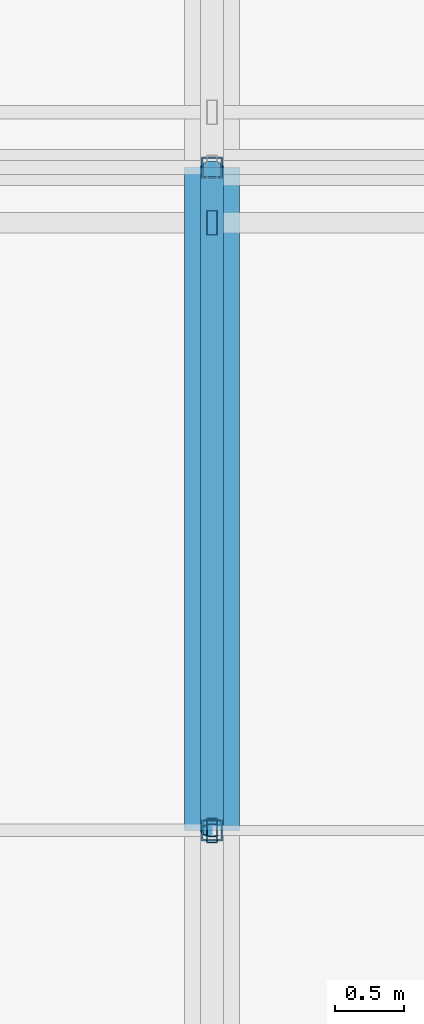
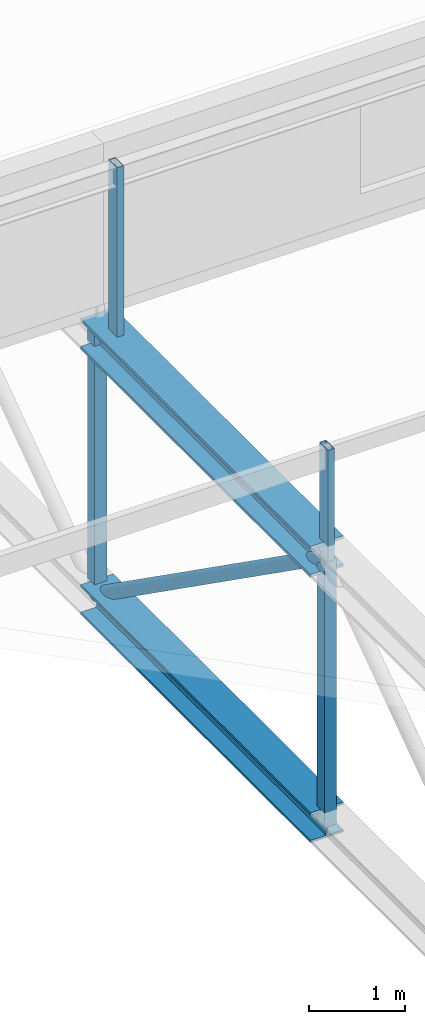
# One storey, part 31 of 136: 5 members, 2 beams.
"""IFC4 building model written with IfcOpenShell, lengths in metres."""

from ifc_helpers import new_model, si_unit, direction, frame, origin, origin_2d, place, context, subcontext, project, spatial, hollow_rectangle, hollow_circle, i_section, extrude, material, material_profile, profile_set, type_object, element, save


model = new_model("IFC4")

# Units and contexts
model_context = context("Model", 3, precision=1e-05, world=origin(), true_north=direction((0.0, 1.0)))
body_context = subcontext(model_context, "Body", "Model", "MODEL_VIEW")
ifc_project = project(units=[si_unit("LENGTHUNIT", "METRE"), si_unit("AREAUNIT", "SQUARE_METRE"), si_unit("VOLUMEUNIT", "CUBIC_METRE"), si_unit("PLANEANGLEUNIT", "RADIAN"), si_unit("MASSUNIT", "GRAM", prefix="KILO")], contexts=[model_context])

# Site, building, storey
site_placement = place(None, origin())
site = spatial("IfcSite", under=ifc_project, at=site_placement, CompositionType="ELEMENT")
building_placement = place(site_placement, origin())
building = spatial("IfcBuilding", under=site, at=building_placement, Name="Kisiwana Market Hall", CompositionType="ELEMENT")
storey_placement = place(building_placement, frame((0.0, 0.0, 16.800048828125)))
storey = spatial("IfcBuildingStorey", under=building, at=storey_placement, Name="L03", CompositionType="ELEMENT", Elevation=16.800048828125)

# Beams
ifc_material_1 = material(Name="Steel S355", Category="steel")
ifc_material_profile_1 = material_profile(ifc_material_1, i_section(OverallWidth=0.394775390625, OverallDepth=0.381103515625, WebThickness=0.018310546875, FlangeThickness=0.0302734375, at=origin_2d()), Name="UC 356x406x235")
ifc_profile_set_1 = profile_set([ifc_material_profile_1], Name="Steel S355")
beam_type_1 = type_object("IfcBeamType", Name="BM-TRUSS-BOT", PredefinedType="USERDEFINED", material=ifc_profile_set_1)
beam_1_placement = place(storey_placement, frame((108.0, 50.39990234375, 0.22998046875), z_axis=(0.0, 1.0, 0.0), x_axis=(-1.0, 0.0, 0.0)))
element("IfcBeam", 1, at=beam_1_placement, inside=storey, type_object=beam_type_1, Name="TR-05 BC panel 4 B-1261", ObjectType="ROOF TRUSS", PredefinedType="USERDEFINED", context=body_context, shape_type="SweptSolid", body=[
    extrude(i_section(OverallWidth=0.394775390625, OverallDepth=0.381103515625, WebThickness=0.018310546875, FlangeThickness=0.0302734375, at=origin_2d()), origin(), (0.0, 0.0, 1.0), 4.800048828125),
])
ifc_material_2 = material(Name="Steel S355", Category="steel")
ifc_material_profile_2 = material_profile(ifc_material_2, i_section(OverallWidth=0.39892578125, OverallDepth=0.3935546875, WebThickness=0.022705078125, FlangeThickness=0.03662109375, at=origin_2d()), Name="UC 356x406x287")
ifc_profile_set_2 = profile_set([ifc_material_profile_2], Name="Steel S355")
beam_type_2 = type_object("IfcBeamType", Name="BM-TRUSS-TOP", PredefinedType="USERDEFINED", material=ifc_profile_set_2)
beam_2_placement = place(storey_placement, frame((108.0, 50.39990234375, 3.619873046875), z_axis=(0.0, 1.0, 0.0), x_axis=(-1.0, 0.0, 0.0)))
element("IfcBeam", 2, at=beam_2_placement, inside=storey, type_object=beam_type_2, Name="TR-05 TC panel 4 B-1271", ObjectType="ROOF TRUSS", PredefinedType="USERDEFINED", context=body_context, shape_type="SweptSolid", body=[
    extrude(i_section(OverallWidth=0.39892578125, OverallDepth=0.3935546875, WebThickness=0.022705078125, FlangeThickness=0.03662109375, at=origin_2d()), origin(), (0.0, 0.0, 1.0), 4.800048828125),
])

# Members
ifc_material_3 = material(Name="Steel S355", Category="steel")
ifc_material_profile_3 = material_profile(ifc_material_3, hollow_rectangle(XDim=0.080078125, YDim=0.179931640625, WallThickness=0.00634765625, at=origin_2d()), Name="RHS 180x80x6.3")
ifc_profile_set_3 = profile_set([ifc_material_profile_3], Name="Steel S355")
member_type_1 = type_object("IfcMemberType", Name="MB-CAN-STRUT", PredefinedType="STRUT", material=ifc_profile_set_3)
member_1_placement = place(storey_placement, frame((108.0, 54.800048828125, 3.619873046875), z_axis=(0.0, 0.0, 1.0), x_axis=(1.0, 0.0, 0.0)))
element("IfcMember", 3, at=member_1_placement, inside=storey, type_object=member_type_1, Name="Sawtooth raker post 211 M-0261", PredefinedType="STRUT", context=body_context, shape_type="SweptSolid", body=[
    extrude(hollow_rectangle(XDim=0.080078125, YDim=0.179931640625, WallThickness=0.00634765625, at=origin_2d()), origin(), (0.0, 0.0, 1.0), 2.355712890625),
])
member_2_placement = place(storey_placement, frame((108.0, 50.39990234375, 3.619873046875), z_axis=(0.0, 0.0, 1.0), x_axis=(1.0, 0.0, 0.0)))
element("IfcMember", 4, at=member_2_placement, inside=storey, type_object=member_type_1, Name="Sawtooth mid-slope raker post 20 M-0065", PredefinedType="STRUT", context=body_context, shape_type="SweptSolid", body=[
    extrude(hollow_rectangle(XDim=0.080078125, YDim=0.179931640625, WallThickness=0.00634765625, at=origin_2d()), origin(), (0.0, 0.0, 1.0), 1.42041015625),
])
ifc_material_4 = material(Name="Steel S355", Category="steel")
ifc_material_profile_4 = material_profile(ifc_material_4, hollow_circle(Radius=0.084228515625, WallThickness=0.010009765625, at=origin_2d()), Name="CHS 168.3x10.0")
ifc_profile_set_4 = profile_set([ifc_material_profile_4], Name="Steel S355")
member_type_2 = type_object("IfcMemberType", Name="MB-TR-DIAG168", PredefinedType="BRACE", material=ifc_profile_set_4)
member_3_placement = place(storey_placement, frame((108.0, 50.39990234375, 3.619873046875), z_axis=(0.0, 0.816837735077, -0.576867501732), x_axis=(-1.0, 0.0, 0.0)))
element("IfcMember", 5, at=member_3_placement, inside=storey, type_object=member_type_2, Name="TR-05 diagonal 4 M-0415", PredefinedType="BRACE", context=body_context, shape_type="SweptSolid", body=[
    extrude(hollow_circle(Radius=0.084228515625, WallThickness=0.010009765625, at=origin_2d()), origin(), (0.0, 0.0, 1.0), 5.87646484375),
])
ifc_material_5 = material(Name="Steel S355", Category="steel")
ifc_material_profile_5 = material_profile(ifc_material_5, hollow_rectangle(XDim=0.14990234375, YDim=0.14990234375, WallThickness=0.008056640625, at=origin_2d()), Name="SHS 150x150x8.0")
ifc_profile_set_5 = profile_set([ifc_material_profile_5], Name="Steel S355")
member_type_3 = type_object("IfcMemberType", Name="MB-TR-STRUT200", PredefinedType="STRUT", material=ifc_profile_set_5)
for number, where, z_axis, x_axis, name in (
    (6, (108.0, 50.39990234375, 0.22998046875), (0.0, 0.0, 1.0), (1.0, 0.0, 0.0), "TR-05 vertical strut 4 M-0424"),
    (7, (108.0, 55.199951171875, 0.22998046875), (0.0, 0.0, 1.0), (1.0, 0.0, 0.0), "TR-05 vertical strut 5 M-0425"),
):
    element("IfcMember", number, at=place(storey_placement, frame(where, z_axis=z_axis, x_axis=x_axis)), inside=storey, type_object=member_type_3, Name=name, PredefinedType="STRUT", context=body_context, shape_type="SweptSolid", body=[
        extrude(hollow_rectangle(XDim=0.14990234375, YDim=0.14990234375, WallThickness=0.008056640625, at=origin_2d()), origin(), (0.0, 0.0, 1.0), 3.389892578125),
    ])

save(model, "model.ifc")
